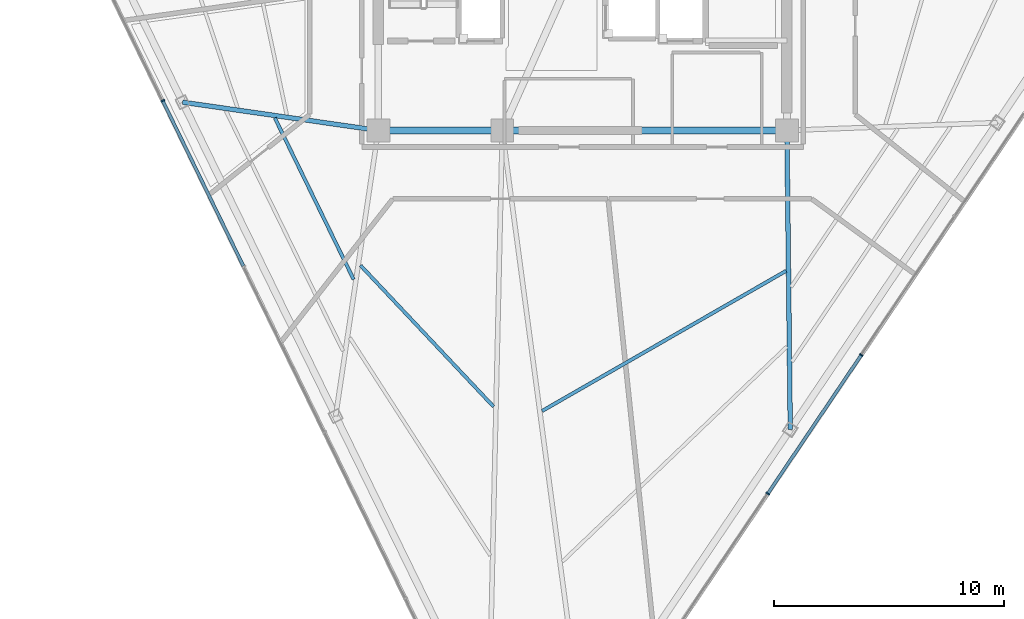
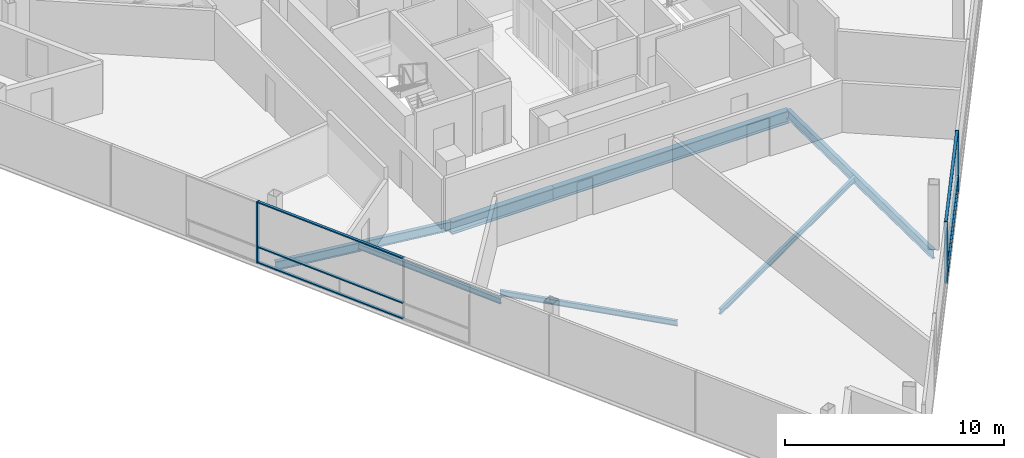
# One storey, part 3 of 14: 9 members, 7 beams, 2 elements without a shape of their own.
"""IFC4 building model written with IfcOpenShell, lengths in metres."""

from ifc_helpers import new_model, si_unit, direction, frame, origin, origin_2d, place, context, subcontext, project, spatial, rectangle, i_section, extrude, material, layer, layer_set, material_profile, profile_set, type_object, element, aggregate, save


model = new_model("IFC4")

# Units and contexts
model_context = context("Model", 3, precision=1e-05, world=origin(), true_north=direction((0.0, 1.0)))
body_context = subcontext(model_context, "Body", "Model", "MODEL_VIEW")
ifc_project = project(units=[si_unit("LENGTHUNIT", "METRE"), si_unit("AREAUNIT", "SQUARE_METRE"), si_unit("VOLUMEUNIT", "CUBIC_METRE"), si_unit("PLANEANGLEUNIT", "RADIAN"), si_unit("MASSUNIT", "GRAM", prefix="KILO")], contexts=[model_context])

# Site, building, storey
site_placement = place(None, origin())
site = spatial("IfcSite", under=ifc_project, at=site_placement, CompositionType="ELEMENT")
building_placement = place(site_placement, origin())
building = spatial("IfcBuilding", under=site, at=building_placement, Name="Tharavind Bronze Gate", CompositionType="ELEMENT")
storey_placement = place(building_placement, frame((0.0, 0.0, 245.050048828125)))
storey = spatial("IfcBuildingStorey", under=building, at=storey_placement, Name="L63", CompositionType="ELEMENT", Elevation=245.050048828125)

# Curtain wall, member
ifc_material_1 = material(Name="Anodised Bronze Aluminium", Category="aluminium")
ifc_layer = layer(ifc_material_1, 0.219970703125)
ifc_layer_set = layer_set([ifc_layer], Name="Anodised Bronze Aluminium")
curtain_wall_type = type_object("IfcCurtainWallType", Name="UNITISED CURTAIN WALL UPPER OFFICE", PredefinedType="USERDEFINED", material=ifc_layer_set)
curtain_wall_1_placement = place(storey_placement, origin())
curtain_wall_1 = element("IfcCurtainWall", 1, at=curtain_wall_1_placement, inside=storey, type_object=curtain_wall_type, Name="L63 unitised curtain wall upper office CW-L63-S1", ObjectType="UNITISED CURTAIN WALL", PredefinedType="USERDEFINED")
member_type_1 = type_object("IfcMemberType", Name="CURTAIN WALL BRONZE MULLION 65X180", PredefinedType="MULLION", material=ifc_material_1)
member_1_placement = place(storey_placement, frame((-18.289794921875, -6.308349609375, 0.0), z_axis=(0.0, 0.0, 1.0), x_axis=(0.438371146789, -0.898794046299, 0.0)))
member_1 = element("IfcMember", 2, at=member_1_placement, type_object=member_type_1, Name="CW-L63-S1 mullion 3", PredefinedType="MULLION", context=body_context, shape_type="SweptSolid", body=[
    extrude(rectangle(XDim=0.06494140625, YDim=0.179931640625, at=origin_2d()), origin(), (0.0, 0.0, 1.0), 3.419921875),
])

# Curtain wall, members
curtain_wall_2_placement = place(storey_placement, origin())
curtain_wall_2 = element("IfcCurtainWall", 3, at=curtain_wall_2_placement, inside=storey, type_object=curtain_wall_type, Name="L63 unitised curtain wall upper office CW-L63-S2", ObjectType="UNITISED CURTAIN WALL", PredefinedType="USERDEFINED")
member_2_placement = place(storey_placement, frame((8.06787109375, -23.4189453125, 0.0), z_axis=(0.0, 0.0, 1.0), x_axis=(0.559192903471, 0.829037572555, 0.0)))
member_2 = element("IfcMember", 4, at=member_2_placement, type_object=member_type_1, Name="CW-L63-S2 mullion 3", PredefinedType="MULLION", context=body_context, shape_type="SweptSolid", body=[
    extrude(rectangle(XDim=0.06494140625, YDim=0.179931640625, at=origin_2d()), origin(), (0.0, 0.0, 1.0), 3.419921875),
])
member_3_placement = place(storey_placement, frame((12.140380859375, -17.381103515625, 0.0), z_axis=(0.0, 0.0, 1.0), x_axis=(0.559192903471, 0.829037572555, 0.0)))
member_3 = element("IfcMember", 5, at=member_3_placement, type_object=member_type_1, Name="CW-L63-S2 mullion 4", PredefinedType="MULLION", context=body_context, shape_type="SweptSolid", body=[
    extrude(rectangle(XDim=0.06494140625, YDim=0.179931640625, at=origin_2d()), origin(), (0.0, 0.0, 1.0), 3.419921875),
])

# Member
member_type_2 = type_object("IfcMemberType", Name="CURTAIN WALL BRONZE TRANSOM 65X140", PredefinedType="USERDEFINED", material=ifc_material_1)
member_4_placement = place(storey_placement, frame((-16.528076171875, -9.920654296875, 0.0), z_axis=(0.0, 0.0, 1.0), x_axis=(0.438371146789, -0.898794046299, 0.0)))
member_4 = element("IfcMember", 6, at=member_4_placement, type_object=member_type_2, Name="CW-L63-S1 transom TB3", ObjectType="TRANSOM", PredefinedType="USERDEFINED", context=body_context, shape_type="SweptSolid", body=[
    extrude(rectangle(XDim=7.985107421875, YDim=0.139892578125, at=origin_2d()), origin(), (0.0, 0.0, 1.0), 0.06494140625),
])

member_5_placement = place(storey_placement, frame((-16.528076171875, -9.920654296875, 0.867431640625), z_axis=(0.0, 0.0, 1.0), x_axis=(0.438371146789, -0.898794046299, 0.0)))
member_5 = element("IfcMember", 7, at=member_5_placement, type_object=member_type_2, Name="CW-L63-S1 transom TS3", ObjectType="TRANSOM", PredefinedType="USERDEFINED", context=body_context, shape_type="SweptSolid", body=[
    extrude(rectangle(XDim=7.985107421875, YDim=0.139892578125, at=origin_2d()), origin(), (0.0, 0.0, 1.0), 0.06494140625),
])

member_6_placement = place(storey_placement, frame((-16.528076171875, -9.920654296875, 3.35498046875), z_axis=(0.0, 0.0, 1.0), x_axis=(0.438371146789, -0.898794046299, 0.0)))
member_6 = element("IfcMember", 8, at=member_6_placement, type_object=member_type_2, Name="CW-L63-S1 transom TT3", ObjectType="TRANSOM", PredefinedType="USERDEFINED", context=body_context, shape_type="SweptSolid", body=[
    extrude(rectangle(XDim=7.985107421875, YDim=0.139892578125, at=origin_2d()), origin(), (0.0, 0.0, 1.0), 0.06494140625),
])

aggregate(curtain_wall_1, [member_1, member_4, member_5, member_6])

member_7_placement = place(storey_placement, frame((10.10400390625, -20.39990234375, 0.0), z_axis=(0.0, 0.0, 1.0), x_axis=(0.559192903471, 0.829037572555, 0.0)))
member_7 = element("IfcMember", 9, at=member_7_placement, type_object=member_type_2, Name="CW-L63-S2 transom TB3", ObjectType="TRANSOM", PredefinedType="USERDEFINED", context=body_context, shape_type="SweptSolid", body=[
    extrude(rectangle(XDim=7.22998046875, YDim=0.139892578125, at=origin_2d()), origin(), (0.0, 0.0, 1.0), 0.06494140625),
])

member_8_placement = place(storey_placement, frame((10.10400390625, -20.39990234375, 0.867431640625), z_axis=(0.0, 0.0, 1.0), x_axis=(0.559192903471, 0.829037572555, 0.0)))
member_8 = element("IfcMember", 10, at=member_8_placement, type_object=member_type_2, Name="CW-L63-S2 transom TS3", ObjectType="TRANSOM", PredefinedType="USERDEFINED", context=body_context, shape_type="SweptSolid", body=[
    extrude(rectangle(XDim=7.22998046875, YDim=0.139892578125, at=origin_2d()), origin(), (0.0, 0.0, 1.0), 0.06494140625),
])

member_9_placement = place(storey_placement, frame((10.10400390625, -20.39990234375, 3.35498046875), z_axis=(0.0, 0.0, 1.0), x_axis=(0.559192903471, 0.829037572555, 0.0)))
member_9 = element("IfcMember", 11, at=member_9_placement, type_object=member_type_2, Name="CW-L63-S2 transom TT3", ObjectType="TRANSOM", PredefinedType="USERDEFINED", context=body_context, shape_type="SweptSolid", body=[
    extrude(rectangle(XDim=7.22998046875, YDim=0.139892578125, at=origin_2d()), origin(), (0.0, 0.0, 1.0), 0.06494140625),
])

aggregate(curtain_wall_2, [member_2, member_3, member_7, member_8, member_9])

# Beams
ifc_material_2 = material(Name="Steel S355", Category="steel")
ifc_material_profile_1 = material_profile(ifc_material_2, i_section(OverallWidth=0.199951171875, OverallDepth=0.5, WebThickness=0.01025390625, FlangeThickness=0.01611328125, at=origin_2d()), Name="IPE500")
ifc_profile_set_1 = profile_set([ifc_material_profile_1], Name="Steel S355")
beam_type_1 = type_object("IfcBeamType", Name="PRIMARY GIRDER IPE500", PredefinedType="USERDEFINED", material=ifc_profile_set_1)
beam_1_placement = place(storey_placement, frame((-17.42578125, -6.368896484375, -0.429931640625), z_axis=(0.989733524733, -0.142924980391, 0.0), x_axis=(0.142924980391, 0.989733524733, 0.0)))
element("IfcBeam", 12, at=beam_1_placement, inside=storey, type_object=beam_type_1, Name="L63 primary girder ipe500 BM-L63-RAD02", ObjectType="GIRDER", PredefinedType="USERDEFINED", context=body_context, shape_type="SweptSolid", body=[
    extrude(i_section(OverallWidth=0.199951171875, OverallDepth=0.5, WebThickness=0.01025390625, FlangeThickness=0.01611328125, at=origin_2d()), origin(), (0.0, 0.0, 1.0), 8.6142578125),
])
beam_2_placement = place(storey_placement, frame((9.045654296875, -20.627685546875, -0.429931640625), z_axis=(-0.01118724612, 0.999937420804, 0.0), x_axis=(-0.999937420804, -0.01118724612, 0.0)))
element("IfcBeam", 13, at=beam_2_placement, inside=storey, type_object=beam_type_1, Name="L63 primary girder ipe500 BM-L63-RAD06", ObjectType="GIRDER", PredefinedType="USERDEFINED", context=body_context, shape_type="SweptSolid", body=[
    extrude(i_section(OverallWidth=0.199951171875, OverallDepth=0.5, WebThickness=0.01025390625, FlangeThickness=0.01611328125, at=origin_2d()), origin(), (0.0, 0.0, 1.0), 13.0283203125),
])
ifc_material_profile_2 = material_profile(ifc_material_2, i_section(OverallWidth=0.300048828125, OverallDepth=0.699951171875, WebThickness=0.01708984375, FlangeThickness=0.031982421875, at=origin_2d()), Name="HE700B")
ifc_profile_set_2 = profile_set([ifc_material_profile_2], Name="Steel S355")
beam_type_2 = type_object("IfcBeamType", Name="RING GIRDER HE700B", PredefinedType="USERDEFINED", material=ifc_profile_set_2)
beam_3_placement = place(storey_placement, frame((-8.89990234375, -7.60009765625, -0.530029296875), z_axis=(1.0, 0.0, 0.0), x_axis=(0.0, 1.0, 0.0)))
element("IfcBeam", 14, at=beam_3_placement, inside=storey, type_object=beam_type_2, Name="L63 ring girder he700b BM-L63-CR1", ObjectType="GIRDER", PredefinedType="USERDEFINED", context=body_context, shape_type="SweptSolid", body=[
    extrude(i_section(OverallWidth=0.300048828125, OverallDepth=0.699951171875, WebThickness=0.01708984375, FlangeThickness=0.031982421875, at=origin_2d()), origin(), (0.0, 0.0, 1.0), 5.39990234375),
])
beam_4_placement = place(storey_placement, frame((-3.5, -7.60009765625, -0.530029296875), z_axis=(1.0, 0.0, 0.0), x_axis=(0.0, 1.0, 0.0)))
element("IfcBeam", 15, at=beam_4_placement, inside=storey, type_object=beam_type_2, Name="L63 ring girder he700b BM-L63-CR2", ObjectType="GIRDER", PredefinedType="USERDEFINED", context=body_context, shape_type="SweptSolid", body=[
    extrude(i_section(OverallWidth=0.300048828125, OverallDepth=0.699951171875, WebThickness=0.01708984375, FlangeThickness=0.031982421875, at=origin_2d()), origin(), (0.0, 0.0, 1.0), 12.39990234375),
])
ifc_material_profile_3 = material_profile(ifc_material_2, i_section(OverallWidth=0.14990234375, OverallDepth=0.300048828125, WebThickness=0.007080078125, FlangeThickness=0.0107421875, at=origin_2d()), Name="IPE300")
ifc_profile_set_3 = profile_set([ifc_material_profile_3], Name="Steel S355")
beam_type_3 = type_object("IfcBeamType", Name="SECONDARY FLOOR JOIST IPE300", PredefinedType="JOIST", material=ifc_profile_set_3)
beam_5_placement = place(storey_placement, frame((-13.406494140625, -7.0537109375, -0.330078125), z_axis=(0.438363440935, -0.898797804654, 0.0), x_axis=(0.898797804654, 0.438363440935, 0.0)))
element("IfcBeam", 16, at=beam_5_placement, inside=storey, type_object=beam_type_3, Name="L63 secondary floor joist ipe300 BM-L63-JSTA02", PredefinedType="JOIST", context=body_context, shape_type="SweptSolid", body=[
    extrude(i_section(OverallWidth=0.14990234375, OverallDepth=0.300048828125, WebThickness=0.007080078125, FlangeThickness=0.0107421875, at=origin_2d()), origin(), (0.0, 0.0, 1.0), 7.83154296875),
])
beam_6_placement = place(storey_placement, frame((-9.674072265625, -13.47998046875, -0.330078125), z_axis=(0.685776148946, -0.727812526367, 0.0), x_axis=(0.727812526367, 0.685776148946, 0.0)))
element("IfcBeam", 17, at=beam_6_placement, inside=storey, type_object=beam_type_3, Name="L63 secondary floor joist ipe300 BM-L63-JSTA03", PredefinedType="JOIST", context=body_context, shape_type="SweptSolid", body=[
    extrude(i_section(OverallWidth=0.14990234375, OverallDepth=0.300048828125, WebThickness=0.007080078125, FlangeThickness=0.0107421875, at=origin_2d()), origin(), (0.0, 0.0, 1.0), 8.456298828125),
])
beam_7_placement = place(storey_placement, frame((-1.7626953125, -19.8193359375, -0.330078125), z_axis=(0.867210244303, 0.497942157459, 0.0), x_axis=(-0.497942157459, 0.867210244303, 0.0)))
element("IfcBeam", 18, at=beam_7_placement, inside=storey, type_object=beam_type_3, Name="L63 secondary floor joist ipe300 BM-L63-JSTA05", PredefinedType="JOIST", context=body_context, shape_type="SweptSolid", body=[
    extrude(i_section(OverallWidth=0.14990234375, OverallDepth=0.300048828125, WebThickness=0.007080078125, FlangeThickness=0.0107421875, at=origin_2d()), origin(), (0.0, 0.0, 1.0), 12.255126953125),
])

save(model, "model.ifc")
